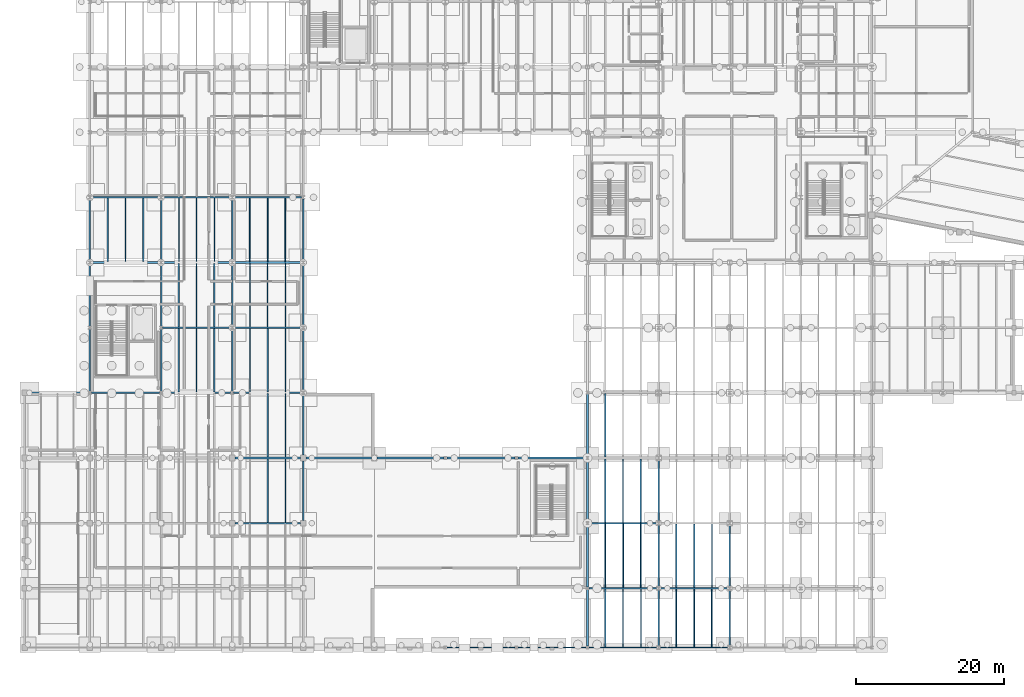
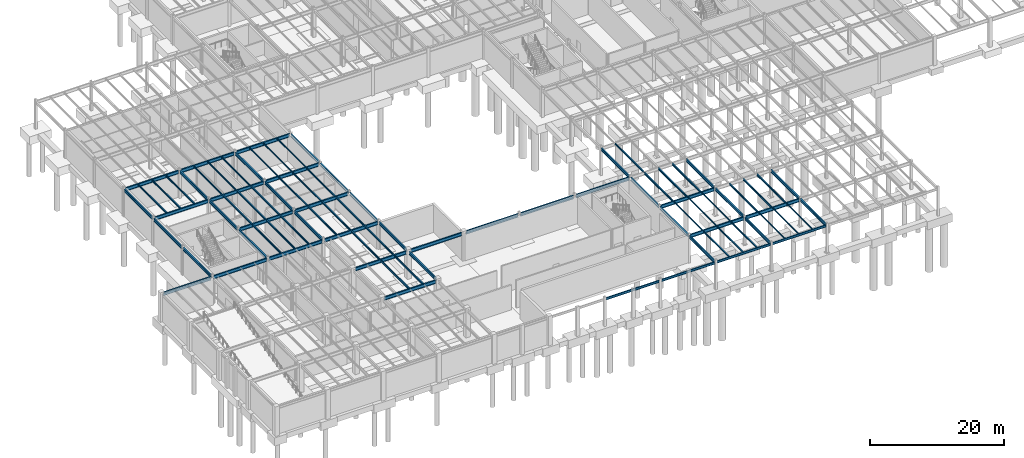
# One storey, part 18 of 48: 89 beams.
"""IFC4 building model written with IfcOpenShell, lengths in metres."""

from ifc_helpers import new_model, si_unit, direction, frame, origin, origin_2d, place, context, subcontext, project, spatial, i_section, extrude, material, material_profile, profile_set, type_object, element, save


model = new_model("IFC4")

# Units and contexts
model_context = context("Model", 3, precision=1e-05, world=origin(), true_north=direction((0.0, 1.0)))
body_context = subcontext(model_context, "Body", "Model", "MODEL_VIEW")
ifc_project = project(units=[si_unit("LENGTHUNIT", "METRE"), si_unit("AREAUNIT", "SQUARE_METRE"), si_unit("VOLUMEUNIT", "CUBIC_METRE"), si_unit("PLANEANGLEUNIT", "RADIAN"), si_unit("MASSUNIT", "GRAM", prefix="KILO")], contexts=[model_context])

# Site, building, storey
site_placement = place(None, origin())
site = spatial("IfcSite", under=ifc_project, at=site_placement, CompositionType="ELEMENT")
building_placement = place(site_placement, origin())
building = spatial("IfcBuilding", under=site, at=building_placement, Name="Sarnbrook Museum", CompositionType="ELEMENT")
storey_placement = place(building_placement, frame((0.0, 0.0, -5.39990234375)))
storey = spatial("IfcBuildingStorey", under=building, at=storey_placement, Name="B1", CompositionType="ELEMENT", Elevation=-5.39990234375)

# Beams
ifc_material = material(Name="Structural Steel Grade 300PLUS (AS/NZS 3679.1, fy = 280 MPa for 17 < t <= 40 mm, 300 MPa for t <= 17 mm)", Category="steel")
ifc_material_profile_1 = material_profile(ifc_material, i_section(OverallWidth=0.208984375, OverallDepth=0.532958984375, WebThickness=0.01025390625, FlangeThickness=0.015625, FilletRadius=0.013916015625, at=origin_2d()), Name="530UB92.4")
ifc_profile_set_1 = profile_set([ifc_material_profile_1], Name="Structural Steel Grade 300PLUS (AS/NZS 3679.1, fy = 280 MPa for 17 < t <= 40 mm, 300 MPa for t <= 17 mm)")
beam_type_1 = type_object("IfcBeamType", Name="BM-UB530", PredefinedType="BEAM", material=ifc_profile_set_1)
for number, where, z_axis, x_axis, name in (
    (1, (13.60009765625, 39.39111328125, 4.83349609375), (0.0, 1.0, 0.0), (-1.0, 0.0, 0.0), "Girder 2:E-F B1"),
    (2, (13.60009765625, 48.19091796875, 4.83349609375), (0.0, 1.0, 0.0), (-1.0, 0.0, 0.0), "Girder 2:F-G B1"),
    (3, (13.60009765625, 56.990966796875, 4.83349609375), (0.0, 1.0, 0.0), (-1.0, 0.0, 0.0), "Girder 2:G-H B1"),
    (4, (23.199951171875, 39.39111328125, 4.83349609375), (0.0, 1.0, 0.0), (-1.0, 0.0, 0.0), "Girder 3:E-F B1"),
    (5, (23.199951171875, 48.19091796875, 4.83349609375), (0.0, 1.0, 0.0), (-1.0, 0.0, 0.0), "Girder 3:F-G B1"),
    (6, (23.199951171875, 56.990966796875, 4.83349609375), (0.0, 1.0, 0.0), (-1.0, 0.0, 0.0), "Girder 3:G-H B1"),
    (7, (32.800048828125, 39.39111328125, 4.83349609375), (0.0, 1.0, 0.0), (-1.0, 0.0, 0.0), "Girder 4:E-F B1"),
    (8, (32.800048828125, 48.19091796875, 4.83349609375), (0.0, 1.0, 0.0), (-1.0, 0.0, 0.0), "Girder 4:F-G B1"),
    (9, (32.800048828125, 56.990966796875, 4.83349609375), (0.0, 1.0, 0.0), (-1.0, 0.0, 0.0), "Girder 4:G-H B1"),
):
    element("IfcBeam", number, at=place(storey_placement, frame(where, z_axis=z_axis, x_axis=x_axis)), inside=storey, type_object=beam_type_1, Name=name, PredefinedType="BEAM", context=body_context, shape_type="SweptSolid", body=[
        extrude(i_section(OverallWidth=0.208984375, OverallDepth=0.532958984375, WebThickness=0.01025390625, FlangeThickness=0.015625, FilletRadius=0.013916015625, at=origin_2d()), origin(), (0.0, 0.0, 1.0), 8.41796875),
    ])
beam_1_placement = place(storey_placement, frame((42.39990234375, 21.97509765625, 4.803466796875), z_axis=(0.0, 1.0, 0.0), x_axis=(-1.0, 0.0, 0.0)))
element("IfcBeam", 10, at=beam_1_placement, inside=storey, type_object=beam_type_1, Name="Girder 5:C-D B1", PredefinedType="BEAM", context=body_context, shape_type="SweptSolid", body=[
    extrude(i_section(OverallWidth=0.208984375, OverallDepth=0.532958984375, WebThickness=0.01025390625, FlangeThickness=0.015625, FilletRadius=0.013916015625, at=origin_2d()), origin(), (0.0, 0.0, 1.0), 8.0498046875),
])
beam_2_placement = place(storey_placement, frame((42.39990234375, 30.77490234375, 4.803466796875), z_axis=(0.0, 1.0, 0.0), x_axis=(-1.0, 0.0, 0.0)))
element("IfcBeam", 11, at=beam_2_placement, inside=storey, type_object=beam_type_1, Name="Girder 5:D-E B1", PredefinedType="BEAM", context=body_context, shape_type="SweptSolid", body=[
    extrude(i_section(OverallWidth=0.208984375, OverallDepth=0.532958984375, WebThickness=0.01025390625, FlangeThickness=0.015625, FilletRadius=0.013916015625, at=origin_2d()), origin(), (0.0, 0.0, 1.0), 8.234130859375),
])
for number, where, z_axis, x_axis, name in (
    (12, (42.39990234375, 39.39111328125, 4.83349609375), (0.0, 1.0, 0.0), (-1.0, 0.0, 0.0), "Girder 5:E-F B1"),
    (13, (42.39990234375, 48.19091796875, 4.83349609375), (0.0, 1.0, 0.0), (-1.0, 0.0, 0.0), "Girder 5:F-G B1"),
    (14, (42.39990234375, 56.990966796875, 4.83349609375), (0.0, 1.0, 0.0), (-1.0, 0.0, 0.0), "Girder 5:G-H B1"),
):
    element("IfcBeam", number, at=place(storey_placement, frame(where, z_axis=z_axis, x_axis=x_axis)), inside=storey, type_object=beam_type_1, Name=name, PredefinedType="BEAM", context=body_context, shape_type="SweptSolid", body=[
        extrude(i_section(OverallWidth=0.208984375, OverallDepth=0.532958984375, WebThickness=0.01025390625, FlangeThickness=0.015625, FilletRadius=0.013916015625, at=origin_2d()), origin(), (0.0, 0.0, 1.0), 8.41796875),
    ])
beam_3_placement = place(storey_placement, frame((80.800048828125, 4.990966796875, 4.8134765625), z_axis=(0.0, 1.0, 0.0), x_axis=(-1.0, 0.0, 0.0)))
element("IfcBeam", 15, at=beam_3_placement, inside=storey, type_object=beam_type_1, Name="Girder 9:A-B B1", PredefinedType="BEAM", context=body_context, shape_type="SweptSolid", body=[
    extrude(i_section(OverallWidth=0.208984375, OverallDepth=0.532958984375, WebThickness=0.01025390625, FlangeThickness=0.015625, FilletRadius=0.013916015625, at=origin_2d()), origin(), (0.0, 0.0, 1.0), 7.6435546875),
])
beam_4_placement = place(storey_placement, frame((80.800048828125, 12.965576171875, 4.8134765625), z_axis=(0.0, 1.0, 0.0), x_axis=(-1.0, 0.0, 0.0)))
element("IfcBeam", 16, at=beam_4_placement, inside=storey, type_object=beam_type_1, Name="Girder 9:B-C B1", PredefinedType="BEAM", context=body_context, shape_type="SweptSolid", body=[
    extrude(i_section(OverallWidth=0.208984375, OverallDepth=0.532958984375, WebThickness=0.01025390625, FlangeThickness=0.015625, FilletRadius=0.013916015625, at=origin_2d()), origin(), (0.0, 0.0, 1.0), 8.468994140625),
])
beam_5_placement = place(storey_placement, frame((80.800048828125, 21.765380859375, 4.8134765625), z_axis=(0.0, 1.0, 0.0), x_axis=(-1.0, 0.0, 0.0)))
element("IfcBeam", 17, at=beam_5_placement, inside=storey, type_object=beam_type_1, Name="Girder 9:C-D B1", PredefinedType="BEAM", context=body_context, shape_type="SweptSolid", body=[
    extrude(i_section(OverallWidth=0.208984375, OverallDepth=0.532958984375, WebThickness=0.01025390625, FlangeThickness=0.015625, FilletRadius=0.013916015625, at=origin_2d()), origin(), (0.0, 0.0, 1.0), 8.443603515625),
])
beam_6_placement = place(storey_placement, frame((80.800048828125, 30.591064453125, 4.83349609375), z_axis=(0.0, 1.0, 0.0), x_axis=(-1.0, 0.0, 0.0)))
element("IfcBeam", 18, at=beam_6_placement, inside=storey, type_object=beam_type_1, Name="Girder 9:D-E B1", PredefinedType="BEAM", context=body_context, shape_type="SweptSolid", body=[
    extrude(i_section(OverallWidth=0.208984375, OverallDepth=0.532958984375, WebThickness=0.01025390625, FlangeThickness=0.015625, FilletRadius=0.013916015625, at=origin_2d()), origin(), (0.0, 0.0, 1.0), 8.41796875),
])
beam_7_placement = place(storey_placement, frame((90.39990234375, 4.965576171875, 4.83349609375), z_axis=(0.0, 1.0, 0.0), x_axis=(-1.0, 0.0, 0.0)))
element("IfcBeam", 19, at=beam_7_placement, inside=storey, type_object=beam_type_1, Name="Girder 10:A-B B1", PredefinedType="BEAM", context=body_context, shape_type="SweptSolid", body=[
    extrude(i_section(OverallWidth=0.208984375, OverallDepth=0.532958984375, WebThickness=0.01025390625, FlangeThickness=0.015625, FilletRadius=0.013916015625, at=origin_2d()), origin(), (0.0, 0.0, 1.0), 7.6689453125),
])
beam_8_placement = place(storey_placement, frame((90.39990234375, 12.965576171875, 4.83349609375), z_axis=(0.0, 1.0, 0.0), x_axis=(-1.0, 0.0, 0.0)))
element("IfcBeam", 20, at=beam_8_placement, inside=storey, type_object=beam_type_1, Name="Girder 10:B-C B1", PredefinedType="BEAM", context=body_context, shape_type="SweptSolid", body=[
    extrude(i_section(OverallWidth=0.208984375, OverallDepth=0.532958984375, WebThickness=0.01025390625, FlangeThickness=0.015625, FilletRadius=0.013916015625, at=origin_2d()), origin(), (0.0, 0.0, 1.0), 8.468994140625),
])
beam_9_placement = place(storey_placement, frame((90.39990234375, 21.765380859375, 4.83349609375), z_axis=(0.0, 1.0, 0.0), x_axis=(-1.0, 0.0, 0.0)))
element("IfcBeam", 21, at=beam_9_placement, inside=storey, type_object=beam_type_1, Name="Girder 10:C-D B1", PredefinedType="BEAM", context=body_context, shape_type="SweptSolid", body=[
    extrude(i_section(OverallWidth=0.208984375, OverallDepth=0.532958984375, WebThickness=0.01025390625, FlangeThickness=0.015625, FilletRadius=0.013916015625, at=origin_2d()), origin(), (0.0, 0.0, 1.0), 8.46923828125),
])
beam_10_placement = place(storey_placement, frame((100.0, 4.965576171875, 4.83349609375), z_axis=(0.0, 1.0, 0.0), x_axis=(-1.0, 0.0, 0.0)))
element("IfcBeam", 22, at=beam_10_placement, inside=storey, type_object=beam_type_1, Name="Girder 11:A-B B1", PredefinedType="BEAM", context=body_context, shape_type="SweptSolid", body=[
    extrude(i_section(OverallWidth=0.208984375, OverallDepth=0.532958984375, WebThickness=0.01025390625, FlangeThickness=0.015625, FilletRadius=0.013916015625, at=origin_2d()), origin(), (0.0, 0.0, 1.0), 7.6689453125),
])
beam_11_placement = place(storey_placement, frame((100.0, 12.965576171875, 4.83349609375), z_axis=(0.0, 1.0, 0.0), x_axis=(-1.0, 0.0, 0.0)))
element("IfcBeam", 23, at=beam_11_placement, inside=storey, type_object=beam_type_1, Name="Girder 11:B-C B1", PredefinedType="BEAM", context=body_context, shape_type="SweptSolid", body=[
    extrude(i_section(OverallWidth=0.208984375, OverallDepth=0.532958984375, WebThickness=0.01025390625, FlangeThickness=0.015625, FilletRadius=0.013916015625, at=origin_2d()), origin(), (0.0, 0.0, 1.0), 8.468994140625),
])
ifc_material_profile_2 = material_profile(ifc_material, i_section(OverallWidth=0.22900390625, OverallDepth=0.612060546875, WebThickness=0.011962890625, FlangeThickness=0.01953125, FilletRadius=0.013916015625, at=origin_2d()), Name="610UB125")
ifc_profile_set_2 = profile_set([ifc_material_profile_2], Name="Structural Steel Grade 300PLUS (AS/NZS 3679.1, fy = 280 MPa for 17 < t <= 40 mm, 300 MPa for t <= 17 mm)")
beam_type_2 = type_object("IfcBeamType", Name="BM-UB610H", PredefinedType="BEAM", material=ifc_profile_set_2)
for number, where, z_axis, x_axis, name in (
    (24, (80.97509765625, 12.800048828125, 4.7939453125), (1.0, 0.0, 0.0), (0.0, 1.0, 0.0), "Girder B:9-10 B1"),
    (25, (90.574951171875, 12.800048828125, 4.7939453125), (1.0, 0.0, 0.0), (0.0, 1.0, 0.0), "Girder B:10-11 B1"),
):
    element("IfcBeam", number, at=place(storey_placement, frame(where, z_axis=z_axis, x_axis=x_axis)), inside=storey, type_object=beam_type_2, Name=name, PredefinedType="BEAM", context=body_context, shape_type="SweptSolid", body=[
        extrude(i_section(OverallWidth=0.22900390625, OverallDepth=0.612060546875, WebThickness=0.011962890625, FlangeThickness=0.01953125, FilletRadius=0.013916015625, at=origin_2d()), origin(), (0.0, 0.0, 1.0), 9.25),
    ])
beam_12_placement = place(storey_placement, frame((33.175048828125, 21.60009765625, 4.763916015625), z_axis=(1.0, 0.0, 0.0), x_axis=(0.0, 1.0, 0.0)))
element("IfcBeam", 26, at=beam_12_placement, inside=storey, type_object=beam_type_2, Name="Girder C:4-5 B1", PredefinedType="BEAM", context=body_context, shape_type="SweptSolid", body=[
    extrude(i_section(OverallWidth=0.22900390625, OverallDepth=0.612060546875, WebThickness=0.011962890625, FlangeThickness=0.01953125, FilletRadius=0.013916015625, at=origin_2d()), origin(), (0.0, 0.0, 1.0), 8.849853515625),
])
beam_13_placement = place(storey_placement, frame((80.97509765625, 21.60009765625, 4.7939453125), z_axis=(1.0, 0.0, 0.0), x_axis=(0.0, 1.0, 0.0)))
element("IfcBeam", 27, at=beam_13_placement, inside=storey, type_object=beam_type_2, Name="Girder C:9-10 B1", PredefinedType="BEAM", context=body_context, shape_type="SweptSolid", body=[
    extrude(i_section(OverallWidth=0.22900390625, OverallDepth=0.612060546875, WebThickness=0.011962890625, FlangeThickness=0.01953125, FilletRadius=0.013916015625, at=origin_2d()), origin(), (0.0, 0.0, 1.0), 9.25),
])
beam_14_placement = place(storey_placement, frame((33.175048828125, 30.39990234375, 4.763916015625), z_axis=(1.0, 0.0, 0.0), x_axis=(0.0, 1.0, 0.0)))
element("IfcBeam", 28, at=beam_14_placement, inside=storey, type_object=beam_type_2, Name="Girder D:4-5 B1", PredefinedType="BEAM", context=body_context, shape_type="SweptSolid", body=[
    extrude(i_section(OverallWidth=0.22900390625, OverallDepth=0.612060546875, WebThickness=0.011962890625, FlangeThickness=0.01953125, FilletRadius=0.013916015625, at=origin_2d()), origin(), (0.0, 0.0, 1.0), 8.849853515625),
])
beam_15_placement = place(storey_placement, frame((42.77490234375, 30.39990234375, 4.77392578125), z_axis=(1.0, 0.0, 0.0), x_axis=(0.0, 1.0, 0.0)))
element("IfcBeam", 29, at=beam_15_placement, inside=storey, type_object=beam_type_2, Name="Girder D:5-6 B1", PredefinedType="BEAM", context=body_context, shape_type="SweptSolid", body=[
    extrude(i_section(OverallWidth=0.22900390625, OverallDepth=0.612060546875, WebThickness=0.011962890625, FlangeThickness=0.01953125, FilletRadius=0.013916015625, at=origin_2d()), origin(), (0.0, 0.0, 1.0), 8.85009765625),
])
beam_16_placement = place(storey_placement, frame((52.375, 30.39990234375, 4.77392578125), z_axis=(1.0, 0.0, 0.0), x_axis=(0.0, 1.0, 0.0)))
element("IfcBeam", 30, at=beam_16_placement, inside=storey, type_object=beam_type_2, Name="Girder D:6-7 B1", PredefinedType="BEAM", context=body_context, shape_type="SweptSolid", body=[
    extrude(i_section(OverallWidth=0.22900390625, OverallDepth=0.612060546875, WebThickness=0.011962890625, FlangeThickness=0.01953125, FilletRadius=0.013916015625, at=origin_2d()), origin(), (0.0, 0.0, 1.0), 9.02490234375),
])
beam_17_placement = place(storey_placement, frame((61.800048828125, 30.39990234375, 4.77392578125), z_axis=(1.0, 0.0, 0.0), x_axis=(0.0, 1.0, 0.0)))
element("IfcBeam", 31, at=beam_17_placement, inside=storey, type_object=beam_type_2, Name="Girder D:7-8 B1", PredefinedType="BEAM", context=body_context, shape_type="SweptSolid", body=[
    extrude(i_section(OverallWidth=0.22900390625, OverallDepth=0.612060546875, WebThickness=0.011962890625, FlangeThickness=0.01953125, FilletRadius=0.013916015625, at=origin_2d()), origin(), (0.0, 0.0, 1.0), 9.199951171875),
])
beam_18_placement = place(storey_placement, frame((71.39990234375, 30.39990234375, 4.77392578125), z_axis=(1.0, 0.0, 0.0), x_axis=(0.0, 1.0, 0.0)))
element("IfcBeam", 32, at=beam_18_placement, inside=storey, type_object=beam_type_2, Name="Girder D:8-9 B1", PredefinedType="BEAM", context=body_context, shape_type="SweptSolid", body=[
    extrude(i_section(OverallWidth=0.22900390625, OverallDepth=0.612060546875, WebThickness=0.011962890625, FlangeThickness=0.01953125, FilletRadius=0.013916015625, at=origin_2d()), origin(), (0.0, 0.0, 1.0), 9.2001953125),
])
beam_19_placement = place(storey_placement, frame((5.175048828125, 39.199951171875, 4.763916015625), z_axis=(1.0, 0.0, 0.0), x_axis=(0.0, 1.0, 0.0)))
element("IfcBeam", 33, at=beam_19_placement, inside=storey, type_object=beam_type_2, Name="Girder E:1-2 B1", PredefinedType="BEAM", context=body_context, shape_type="SweptSolid", body=[
    extrude(i_section(OverallWidth=0.22900390625, OverallDepth=0.612060546875, WebThickness=0.011962890625, FlangeThickness=0.01953125, FilletRadius=0.013916015625, at=origin_2d()), origin(), (0.0, 0.0, 1.0), 8.224853515625),
])
beam_20_placement = place(storey_placement, frame((13.800048828125, 39.199951171875, 4.763916015625), z_axis=(1.0, 0.0, 0.0), x_axis=(0.0, 1.0, 0.0)))
element("IfcBeam", 34, at=beam_20_placement, inside=storey, type_object=beam_type_2, Name="Girder E:2-3 B1", PredefinedType="BEAM", context=body_context, shape_type="SweptSolid", body=[
    extrude(i_section(OverallWidth=0.22900390625, OverallDepth=0.612060546875, WebThickness=0.011962890625, FlangeThickness=0.01953125, FilletRadius=0.013916015625, at=origin_2d()), origin(), (0.0, 0.0, 1.0), 9.199951171875),
])
beam_21_placement = place(storey_placement, frame((23.39990234375, 39.199951171875, 4.763916015625), z_axis=(1.0, 0.0, 0.0), x_axis=(0.0, 1.0, 0.0)))
element("IfcBeam", 35, at=beam_21_placement, inside=storey, type_object=beam_type_2, Name="Girder E:3-4 B1", PredefinedType="BEAM", context=body_context, shape_type="SweptSolid", body=[
    extrude(i_section(OverallWidth=0.22900390625, OverallDepth=0.612060546875, WebThickness=0.011962890625, FlangeThickness=0.01953125, FilletRadius=0.013916015625, at=origin_2d()), origin(), (0.0, 0.0, 1.0), 9.2001953125),
])
beam_22_placement = place(storey_placement, frame((33.0, 39.199951171875, 4.763916015625), z_axis=(1.0, 0.0, 0.0), x_axis=(0.0, 1.0, 0.0)))
element("IfcBeam", 36, at=beam_22_placement, inside=storey, type_object=beam_type_2, Name="Girder E:4-5 B1", PredefinedType="BEAM", context=body_context, shape_type="SweptSolid", body=[
    extrude(i_section(OverallWidth=0.22900390625, OverallDepth=0.612060546875, WebThickness=0.011962890625, FlangeThickness=0.01953125, FilletRadius=0.013916015625, at=origin_2d()), origin(), (0.0, 0.0, 1.0), 9.199951171875),
])
beam_23_placement = place(storey_placement, frame((23.39990234375, 48.0, 4.7939453125), z_axis=(1.0, 0.0, 0.0), x_axis=(0.0, 1.0, 0.0)))
element("IfcBeam", 37, at=beam_23_placement, inside=storey, type_object=beam_type_2, Name="Girder F:3-4 B1", PredefinedType="BEAM", context=body_context, shape_type="SweptSolid", body=[
    extrude(i_section(OverallWidth=0.22900390625, OverallDepth=0.612060546875, WebThickness=0.011962890625, FlangeThickness=0.01953125, FilletRadius=0.013916015625, at=origin_2d()), origin(), (0.0, 0.0, 1.0), 9.2001953125),
])
for number, where, z_axis, x_axis, name in (
    (38, (33.0, 48.0, 4.7939453125), (1.0, 0.0, 0.0), (0.0, 1.0, 0.0), "Girder F:4-5 B1"),
    (39, (13.800048828125, 56.800048828125, 4.7939453125), (1.0, 0.0, 0.0), (0.0, 1.0, 0.0), "Girder G:2-3 B1"),
):
    element("IfcBeam", number, at=place(storey_placement, frame(where, z_axis=z_axis, x_axis=x_axis)), inside=storey, type_object=beam_type_2, Name=name, PredefinedType="BEAM", context=body_context, shape_type="SweptSolid", body=[
        extrude(i_section(OverallWidth=0.22900390625, OverallDepth=0.612060546875, WebThickness=0.011962890625, FlangeThickness=0.01953125, FilletRadius=0.013916015625, at=origin_2d()), origin(), (0.0, 0.0, 1.0), 9.199951171875),
    ])
beam_24_placement = place(storey_placement, frame((23.39990234375, 56.800048828125, 4.7939453125), z_axis=(1.0, 0.0, 0.0), x_axis=(0.0, 1.0, 0.0)))
element("IfcBeam", 40, at=beam_24_placement, inside=storey, type_object=beam_type_2, Name="Girder G:3-4 B1", PredefinedType="BEAM", context=body_context, shape_type="SweptSolid", body=[
    extrude(i_section(OverallWidth=0.22900390625, OverallDepth=0.612060546875, WebThickness=0.011962890625, FlangeThickness=0.01953125, FilletRadius=0.013916015625, at=origin_2d()), origin(), (0.0, 0.0, 1.0), 9.2001953125),
])
for number, where, z_axis, x_axis, name in (
    (41, (33.0, 56.800048828125, 4.7939453125), (1.0, 0.0, 0.0), (0.0, 1.0, 0.0), "Girder G:4-5 B1"),
    (42, (13.800048828125, 65.60009765625, 4.7939453125), (1.0, 0.0, 0.0), (0.0, 1.0, 0.0), "Girder H:2-3 B1"),
):
    element("IfcBeam", number, at=place(storey_placement, frame(where, z_axis=z_axis, x_axis=x_axis)), inside=storey, type_object=beam_type_2, Name=name, PredefinedType="BEAM", context=body_context, shape_type="SweptSolid", body=[
        extrude(i_section(OverallWidth=0.22900390625, OverallDepth=0.612060546875, WebThickness=0.011962890625, FlangeThickness=0.01953125, FilletRadius=0.013916015625, at=origin_2d()), origin(), (0.0, 0.0, 1.0), 9.199951171875),
    ])
beam_25_placement = place(storey_placement, frame((23.39990234375, 65.60009765625, 4.7939453125), z_axis=(1.0, 0.0, 0.0), x_axis=(0.0, 1.0, 0.0)))
element("IfcBeam", 43, at=beam_25_placement, inside=storey, type_object=beam_type_2, Name="Girder H:3-4 B1", PredefinedType="BEAM", context=body_context, shape_type="SweptSolid", body=[
    extrude(i_section(OverallWidth=0.22900390625, OverallDepth=0.612060546875, WebThickness=0.011962890625, FlangeThickness=0.01953125, FilletRadius=0.013916015625, at=origin_2d()), origin(), (0.0, 0.0, 1.0), 9.2001953125),
])
beam_26_placement = place(storey_placement, frame((33.0, 65.60009765625, 4.7939453125), z_axis=(1.0, 0.0, 0.0), x_axis=(0.0, 1.0, 0.0)))
element("IfcBeam", 44, at=beam_26_placement, inside=storey, type_object=beam_type_2, Name="Girder H:4-5 B1", PredefinedType="BEAM", context=body_context, shape_type="SweptSolid", body=[
    extrude(i_section(OverallWidth=0.22900390625, OverallDepth=0.612060546875, WebThickness=0.011962890625, FlangeThickness=0.01953125, FilletRadius=0.013916015625, at=origin_2d()), origin(), (0.0, 0.0, 1.0), 9.199951171875),
])
ifc_material_profile_3 = material_profile(ifc_material, i_section(OverallWidth=0.134033203125, OverallDepth=0.20703125, WebThickness=0.00634765625, FlangeThickness=0.009521484375, FilletRadius=0.0087890625, at=origin_2d()), Name="200UB29.8")
ifc_profile_set_3 = profile_set([ifc_material_profile_3], Name="Structural Steel Grade 300PLUS (AS/NZS 3679.1, fy = 280 MPa for 17 < t <= 40 mm, 300 MPa for t <= 17 mm)")
beam_type_3 = type_object("IfcBeamType", Name="JS-UB200", PredefinedType="JOIST", material=ifc_profile_set_3)
for number, where, z_axis, x_axis, name in (
    (45, (35.199951171875, 56.91455078125, 4.996337890625), (0.0, 1.0, 0.0), (-1.0, 0.0, 0.0), "Composite Floor Joist 4G-1 B1"),
    (46, (37.60009765625, 56.91455078125, 4.996337890625), (0.0, 1.0, 0.0), (-1.0, 0.0, 0.0), "Composite Floor Joist 4G-2 B1"),
    (47, (40.0, 56.91455078125, 4.996337890625), (0.0, 1.0, 0.0), (-1.0, 0.0, 0.0), "Composite Floor Joist 4G-3 B1"),
    (48, (83.199951171875, 12.91455078125, 4.996337890625), (0.0, 1.0, 0.0), (-1.0, 0.0, 0.0), "Composite Floor Joist 9B-1 B1"),
    (49, (85.60009765625, 12.91455078125, 4.996337890625), (0.0, 1.0, 0.0), (-1.0, 0.0, 0.0), "Composite Floor Joist 9B-2 B1"),
    (50, (88.0, 12.91455078125, 4.996337890625), (0.0, 1.0, 0.0), (-1.0, 0.0, 0.0), "Composite Floor Joist 9B-3 B1"),
):
    element("IfcBeam", number, at=place(storey_placement, frame(where, z_axis=z_axis, x_axis=x_axis)), inside=storey, type_object=beam_type_3, Name=name, PredefinedType="JOIST", context=body_context, shape_type="SweptSolid", body=[
        extrude(i_section(OverallWidth=0.134033203125, OverallDepth=0.20703125, WebThickness=0.00634765625, FlangeThickness=0.009521484375, FilletRadius=0.0087890625, at=origin_2d()), origin(), (0.0, 0.0, 1.0), 8.571044921875),
    ])
for number, where, z_axis, x_axis, name in (
    (51, (92.800048828125, 4.888916015625, 4.996337890625), (0.0, 1.0, 0.0), (-1.0, 0.0, 0.0), "Composite Floor Joist 10A-1 B1"),
    (52, (95.199951171875, 4.888916015625, 4.996337890625), (0.0, 1.0, 0.0), (-1.0, 0.0, 0.0), "Composite Floor Joist 10A-2 B1"),
    (53, (97.60009765625, 4.888916015625, 4.996337890625), (0.0, 1.0, 0.0), (-1.0, 0.0, 0.0), "Composite Floor Joist 10A-3 B1"),
):
    element("IfcBeam", number, at=place(storey_placement, frame(where, z_axis=z_axis, x_axis=x_axis)), inside=storey, type_object=beam_type_3, Name=name, PredefinedType="JOIST", context=body_context, shape_type="SweptSolid", body=[
        extrude(i_section(OverallWidth=0.134033203125, OverallDepth=0.20703125, WebThickness=0.00634765625, FlangeThickness=0.009521484375, FilletRadius=0.0087890625, at=origin_2d()), origin(), (0.0, 0.0, 1.0), 7.796630859375),
    ])
ifc_material_profile_4 = material_profile(ifc_material, i_section(OverallWidth=0.14599609375, OverallDepth=0.256103515625, WebThickness=0.00634765625, FlangeThickness=0.010986328125, FilletRadius=0.0087890625, at=origin_2d()), Name="250UB37.3")
ifc_profile_set_4 = profile_set([ifc_material_profile_4], Name="Structural Steel Grade 300PLUS (AS/NZS 3679.1, fy = 280 MPa for 17 < t <= 40 mm, 300 MPa for t <= 17 mm)")
beam_type_4 = type_object("IfcBeamType", Name="JS-UB250", PredefinedType="JOIST", material=ifc_profile_set_4)
for number, where, z_axis, x_axis, name in (
    (54, (25.60009765625, 56.91455078125, 4.971923828125), (0.0, 1.0, 0.0), (-1.0, 0.0, 0.0), "Composite Floor Joist 3G-1 B1"),
    (55, (28.0, 56.91455078125, 4.971923828125), (0.0, 1.0, 0.0), (-1.0, 0.0, 0.0), "Composite Floor Joist 3G-2 B1"),
    (56, (30.39990234375, 56.91455078125, 4.971923828125), (0.0, 1.0, 0.0), (-1.0, 0.0, 0.0), "Composite Floor Joist 3G-3 B1"),
    (57, (35.199951171875, 48.114501953125, 4.971923828125), (0.0, 1.0, 0.0), (-1.0, 0.0, 0.0), "Composite Floor Joist 4F-1 B1"),
    (58, (37.60009765625, 48.114501953125, 4.971923828125), (0.0, 1.0, 0.0), (-1.0, 0.0, 0.0), "Composite Floor Joist 4F-2 B1"),
    (59, (40.0, 48.114501953125, 4.971923828125), (0.0, 1.0, 0.0), (-1.0, 0.0, 0.0), "Composite Floor Joist 4F-3 B1"),
):
    element("IfcBeam", number, at=place(storey_placement, frame(where, z_axis=z_axis, x_axis=x_axis)), inside=storey, type_object=beam_type_4, Name=name, PredefinedType="JOIST", context=body_context, shape_type="SweptSolid", body=[
        extrude(i_section(OverallWidth=0.14599609375, OverallDepth=0.256103515625, WebThickness=0.00634765625, FlangeThickness=0.010986328125, FilletRadius=0.0087890625, at=origin_2d()), origin(), (0.0, 0.0, 1.0), 8.571044921875),
    ])
for number, where, z_axis, x_axis, name in (
    (60, (83.199951171875, 4.888916015625, 4.971923828125), (0.0, 1.0, 0.0), (-1.0, 0.0, 0.0), "Composite Floor Joist 9A-1 B1"),
    (61, (85.60009765625, 4.888916015625, 4.971923828125), (0.0, 1.0, 0.0), (-1.0, 0.0, 0.0), "Composite Floor Joist 9A-2 B1"),
    (62, (88.0, 4.888916015625, 4.971923828125), (0.0, 1.0, 0.0), (-1.0, 0.0, 0.0), "Composite Floor Joist 9A-3 B1"),
):
    element("IfcBeam", number, at=place(storey_placement, frame(where, z_axis=z_axis, x_axis=x_axis)), inside=storey, type_object=beam_type_4, Name=name, PredefinedType="JOIST", context=body_context, shape_type="SweptSolid", body=[
        extrude(i_section(OverallWidth=0.14599609375, OverallDepth=0.256103515625, WebThickness=0.00634765625, FlangeThickness=0.010986328125, FilletRadius=0.0087890625, at=origin_2d()), origin(), (0.0, 0.0, 1.0), 7.796630859375),
    ])
ifc_material_profile_5 = material_profile(ifc_material, i_section(OverallWidth=0.1650390625, OverallDepth=0.303955078125, WebThickness=0.006103515625, FlangeThickness=0.01025390625, FilletRadius=0.011474609375, at=origin_2d()), Name="310UB40.4")
ifc_profile_set_5 = profile_set([ifc_material_profile_5], Name="Structural Steel Grade 300PLUS (AS/NZS 3679.1, fy = 280 MPa for 17 < t <= 40 mm, 300 MPa for t <= 17 mm)")
beam_type_5 = type_object("IfcBeamType", Name="JS-UB310", PredefinedType="JOIST", material=ifc_profile_set_5)
for number, where, z_axis, x_axis, name in (
    (63, (16.0, 56.91455078125, 4.947998046875), (0.0, 1.0, 0.0), (-1.0, 0.0, 0.0), "Composite Floor Joist 2G-1 B1"),
    (64, (18.39990234375, 56.91455078125, 4.947998046875), (0.0, 1.0, 0.0), (-1.0, 0.0, 0.0), "Composite Floor Joist 2G-2 B1"),
    (65, (20.800048828125, 56.91455078125, 4.947998046875), (0.0, 1.0, 0.0), (-1.0, 0.0, 0.0), "Composite Floor Joist 2G-3 B1"),
    (66, (25.60009765625, 48.114501953125, 4.947998046875), (0.0, 1.0, 0.0), (-1.0, 0.0, 0.0), "Composite Floor Joist 3F-1 B1"),
    (67, (28.0, 48.114501953125, 4.947998046875), (0.0, 1.0, 0.0), (-1.0, 0.0, 0.0), "Composite Floor Joist 3F-2 B1"),
    (68, (30.39990234375, 48.114501953125, 4.947998046875), (0.0, 1.0, 0.0), (-1.0, 0.0, 0.0), "Composite Floor Joist 3F-3 B1"),
    (69, (35.199951171875, 39.314453125, 4.947998046875), (0.0, 1.0, 0.0), (-1.0, 0.0, 0.0), "Composite Floor Joist 4E-1 B1"),
    (70, (37.60009765625, 39.314453125, 4.947998046875), (0.0, 1.0, 0.0), (-1.0, 0.0, 0.0), "Composite Floor Joist 4E-2 B1"),
    (71, (40.0, 39.314453125, 4.947998046875), (0.0, 1.0, 0.0), (-1.0, 0.0, 0.0), "Composite Floor Joist 4E-3 B1"),
):
    element("IfcBeam", number, at=place(storey_placement, frame(where, z_axis=z_axis, x_axis=x_axis)), inside=storey, type_object=beam_type_5, Name=name, PredefinedType="JOIST", context=body_context, shape_type="SweptSolid", body=[
        extrude(i_section(OverallWidth=0.1650390625, OverallDepth=0.303955078125, WebThickness=0.006103515625, FlangeThickness=0.01025390625, FilletRadius=0.011474609375, at=origin_2d()), origin(), (0.0, 0.0, 1.0), 8.571044921875),
    ])
ifc_material_profile_6 = material_profile(ifc_material, i_section(OverallWidth=0.166015625, OverallDepth=0.306884765625, WebThickness=0.006591796875, FlangeThickness=0.01171875, FilletRadius=0.011474609375, at=origin_2d()), Name="310UB46.2")
ifc_profile_set_6 = profile_set([ifc_material_profile_6], Name="Structural Steel Grade 300PLUS (AS/NZS 3679.1, fy = 280 MPa for 17 < t <= 40 mm, 300 MPa for t <= 17 mm)")
beam_type_6 = type_object("IfcBeamType", Name="JS-UB310H", PredefinedType="JOIST", material=ifc_profile_set_6)
for number, where, z_axis, x_axis, name in (
    (72, (25.60009765625, 39.314453125, 4.9462890625), (0.0, 1.0, 0.0), (-1.0, 0.0, 0.0), "Composite Floor Joist 3E-1 B1"),
    (73, (28.0, 39.314453125, 4.9462890625), (0.0, 1.0, 0.0), (-1.0, 0.0, 0.0), "Composite Floor Joist 3E-2 B1"),
    (74, (30.39990234375, 39.314453125, 4.9462890625), (0.0, 1.0, 0.0), (-1.0, 0.0, 0.0), "Composite Floor Joist 3E-3 B1"),
    (75, (37.60009765625, 30.514404296875, 4.91650390625), (0.0, 1.0, 0.0), (-1.0, 0.0, 0.0), "Composite Floor Joist 4D-2 B1"),
    (76, (40.0, 30.514404296875, 4.91650390625), (0.0, 1.0, 0.0), (-1.0, 0.0, 0.0), "Composite Floor Joist 4D-3 B1"),
    (77, (83.199951171875, 30.514404296875, 4.9462890625), (0.0, 1.0, 0.0), (-1.0, 0.0, 0.0), "Composite Floor Joist 9D-1 B1"),
):
    element("IfcBeam", number, at=place(storey_placement, frame(where, z_axis=z_axis, x_axis=x_axis)), inside=storey, type_object=beam_type_6, Name=name, PredefinedType="JOIST", context=body_context, shape_type="SweptSolid", body=[
        extrude(i_section(OverallWidth=0.166015625, OverallDepth=0.306884765625, WebThickness=0.006591796875, FlangeThickness=0.01171875, FilletRadius=0.011474609375, at=origin_2d()), origin(), (0.0, 0.0, 1.0), 8.571044921875),
    ])
ifc_material_profile_7 = material_profile(ifc_material, i_section(OverallWidth=0.1708984375, OverallDepth=0.35595703125, WebThickness=0.00732421875, FlangeThickness=0.011474609375, FilletRadius=0.011474609375, at=origin_2d()), Name="360UB50.7")
ifc_profile_set_7 = profile_set([ifc_material_profile_7], Name="Structural Steel Grade 300PLUS (AS/NZS 3679.1, fy = 280 MPa for 17 < t <= 40 mm, 300 MPa for t <= 17 mm)")
beam_type_7 = type_object("IfcBeamType", Name="JS-UB360", PredefinedType="JOIST", material=ifc_profile_set_7)
for number, where, z_axis, x_axis, name in (
    (78, (37.60009765625, 21.714599609375, 4.891845703125), (0.0, 1.0, 0.0), (-1.0, 0.0, 0.0), "Composite Floor Joist 4C-2 B1"),
    (79, (40.0, 21.714599609375, 4.891845703125), (0.0, 1.0, 0.0), (-1.0, 0.0, 0.0), "Composite Floor Joist 4C-3 B1"),
    (80, (83.199951171875, 21.714599609375, 4.921875), (0.0, 1.0, 0.0), (-1.0, 0.0, 0.0), "Composite Floor Joist 9C-1 B1"),
    (81, (85.60009765625, 21.714599609375, 4.921875), (0.0, 1.0, 0.0), (-1.0, 0.0, 0.0), "Composite Floor Joist 9C-2 B1"),
    (82, (88.0, 21.714599609375, 4.921875), (0.0, 1.0, 0.0), (-1.0, 0.0, 0.0), "Composite Floor Joist 9C-3 B1"),
):
    element("IfcBeam", number, at=place(storey_placement, frame(where, z_axis=z_axis, x_axis=x_axis)), inside=storey, type_object=beam_type_7, Name=name, PredefinedType="JOIST", context=body_context, shape_type="SweptSolid", body=[
        extrude(i_section(OverallWidth=0.1708984375, OverallDepth=0.35595703125, WebThickness=0.00732421875, FlangeThickness=0.011474609375, FilletRadius=0.011474609375, at=origin_2d()), origin(), (0.0, 0.0, 1.0), 8.57080078125),
    ])
for number, where, z_axis, x_axis, name in (
    (83, (92.800048828125, 12.91455078125, 4.921875), (0.0, 1.0, 0.0), (-1.0, 0.0, 0.0), "Composite Floor Joist 10B-1 B1"),
    (84, (95.199951171875, 12.91455078125, 4.921875), (0.0, 1.0, 0.0), (-1.0, 0.0, 0.0), "Composite Floor Joist 10B-2 B1"),
    (85, (97.60009765625, 12.91455078125, 4.921875), (0.0, 1.0, 0.0), (-1.0, 0.0, 0.0), "Composite Floor Joist 10B-3 B1"),
):
    element("IfcBeam", number, at=place(storey_placement, frame(where, z_axis=z_axis, x_axis=x_axis)), inside=storey, type_object=beam_type_7, Name=name, PredefinedType="JOIST", context=body_context, shape_type="SweptSolid", body=[
        extrude(i_section(OverallWidth=0.1708984375, OverallDepth=0.35595703125, WebThickness=0.00732421875, FlangeThickness=0.011474609375, FilletRadius=0.011474609375, at=origin_2d()), origin(), (0.0, 0.0, 1.0), 8.571044921875),
    ])
ifc_material_profile_8 = material_profile(ifc_material, i_section(OverallWidth=0.177978515625, OverallDepth=0.406005859375, WebThickness=0.0078125, FlangeThickness=0.0126953125, FilletRadius=0.011474609375, at=origin_2d()), Name="410UB59.7")
ifc_profile_set_8 = profile_set([ifc_material_profile_8], Name="Structural Steel Grade 300PLUS (AS/NZS 3679.1, fy = 280 MPa for 17 < t <= 40 mm, 300 MPa for t <= 17 mm)")
beam_type_8 = type_object("IfcBeamType", Name="SP-UB410", PredefinedType="SPANDREL", material=ifc_profile_set_8)
beam_27_placement = place(storey_placement, frame((61.800048828125, 4.800048828125, 4.876953125), z_axis=(1.0, 0.0, 0.0), x_axis=(0.0, 1.0, 0.0)))
element("IfcBeam", 86, at=beam_27_placement, inside=storey, type_object=beam_type_8, Name="Girder A:7-8 B1", PredefinedType="SPANDREL", context=body_context, shape_type="SweptSolid", body=[
    extrude(i_section(OverallWidth=0.177978515625, OverallDepth=0.406005859375, WebThickness=0.0078125, FlangeThickness=0.0126953125, FilletRadius=0.011474609375, at=origin_2d()), origin(), (0.0, 0.0, 1.0), 9.199951171875),
])
beam_28_placement = place(storey_placement, frame((71.39990234375, 4.800048828125, 4.876953125), z_axis=(1.0, 0.0, 0.0), x_axis=(0.0, 1.0, 0.0)))
element("IfcBeam", 87, at=beam_28_placement, inside=storey, type_object=beam_type_8, Name="Girder A:8-9 B1", PredefinedType="SPANDREL", context=body_context, shape_type="SweptSolid", body=[
    extrude(i_section(OverallWidth=0.177978515625, OverallDepth=0.406005859375, WebThickness=0.0078125, FlangeThickness=0.0126953125, FilletRadius=0.011474609375, at=origin_2d()), origin(), (0.0, 0.0, 1.0), 9.2001953125),
])
beam_29_placement = place(storey_placement, frame((81.0, 4.800048828125, 4.89697265625), z_axis=(1.0, 0.0, 0.0), x_axis=(0.0, 1.0, 0.0)))
element("IfcBeam", 88, at=beam_29_placement, inside=storey, type_object=beam_type_8, Name="Girder A:9-10 B1", PredefinedType="SPANDREL", context=body_context, shape_type="SweptSolid", body=[
    extrude(i_section(OverallWidth=0.177978515625, OverallDepth=0.406005859375, WebThickness=0.0078125, FlangeThickness=0.0126953125, FilletRadius=0.011474609375, at=origin_2d()), origin(), (0.0, 0.0, 1.0), 9.22509765625),
])
beam_30_placement = place(storey_placement, frame((90.574951171875, 4.800048828125, 4.89697265625), z_axis=(1.0, 0.0, 0.0), x_axis=(0.0, 1.0, 0.0)))
element("IfcBeam", 89, at=beam_30_placement, inside=storey, type_object=beam_type_8, Name="Girder A:10-11 B1", PredefinedType="SPANDREL", context=body_context, shape_type="SweptSolid", body=[
    extrude(i_section(OverallWidth=0.177978515625, OverallDepth=0.406005859375, WebThickness=0.0078125, FlangeThickness=0.0126953125, FilletRadius=0.011474609375, at=origin_2d()), origin(), (0.0, 0.0, 1.0), 9.25),
])

save(model, "model.ifc")
